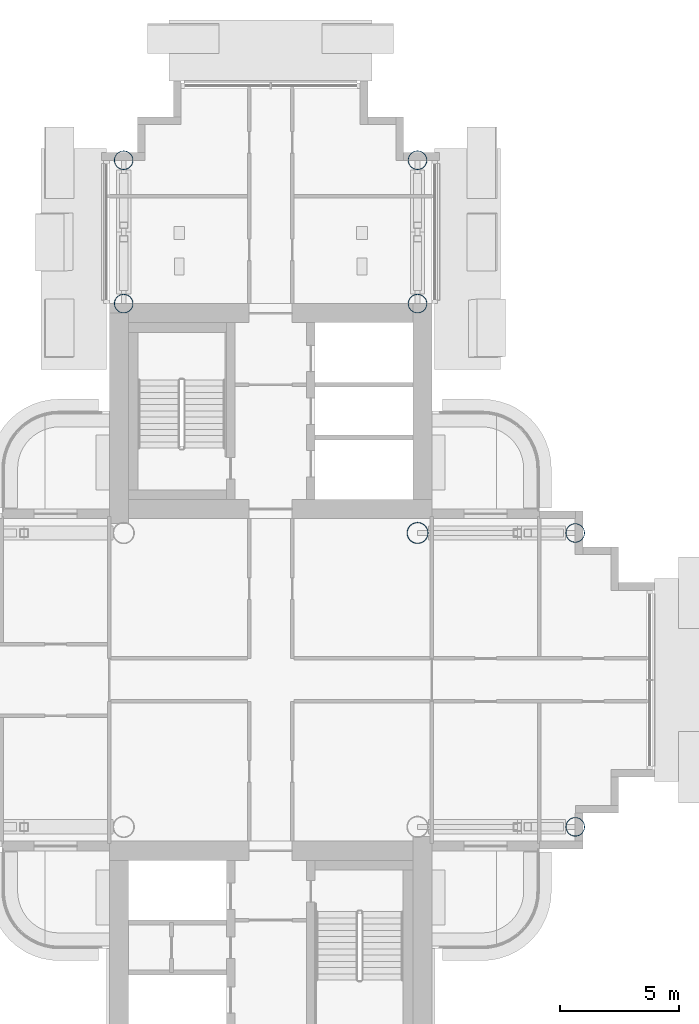
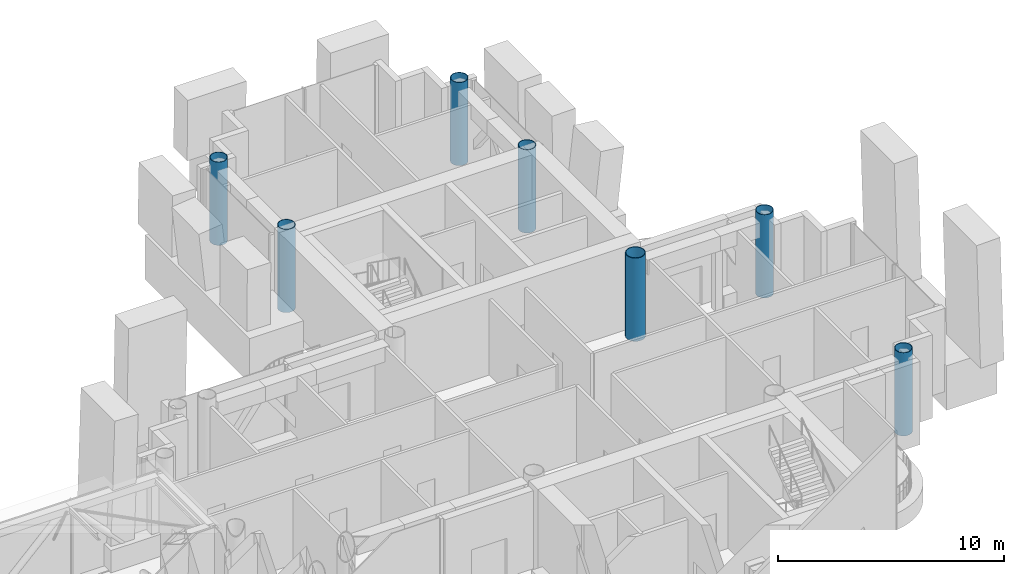
# One storey, part 2 of 26: 7 columns.
"""IFC4 building model written with IfcOpenShell, lengths in metres."""

from ifc_helpers import new_model, si_unit, direction, frame, origin, origin_2d, place, context, subcontext, project, spatial, hollow_circle, extrude, material, material_profile, profile_set, type_object, element, save


model = new_model("IFC4")

# Units and contexts
model_context = context("Model", 3, precision=1e-05, world=origin(), true_north=direction((0.0, 1.0)))
body_context = subcontext(model_context, "Body", "Model", "MODEL_VIEW")
ifc_project = project(units=[si_unit("LENGTHUNIT", "METRE"), si_unit("AREAUNIT", "SQUARE_METRE"), si_unit("VOLUMEUNIT", "CUBIC_METRE"), si_unit("PLANEANGLEUNIT", "RADIAN"), si_unit("MASSUNIT", "GRAM", prefix="KILO")], contexts=[model_context])

# Site, building, storey
site_placement = place(None, origin())
site = spatial("IfcSite", under=ifc_project, at=site_placement, CompositionType="ELEMENT")
building_placement = place(site_placement, origin())
building = spatial("IfcBuilding", under=site, at=building_placement, Name="Ipe Terrace Towers", CompositionType="ELEMENT")
storey_placement = place(building_placement, frame((0.0, 0.0, 181.300048828125)))
storey = spatial("IfcBuildingStorey", under=building, at=storey_placement, Name="L50", CompositionType="ELEMENT", Elevation=181.300048828125)

# Columns
ifc_material_1 = material(Name="Steel S355 tube with Concrete C60/75 fill", Category="concrete")
ifc_material_profile_1 = material_profile(ifc_material_1, hollow_circle(Radius=0.39990234375, WallThickness=0.028076171875, at=origin_2d()), Name="CHS-800x28")
ifc_profile_set_1 = profile_set([ifc_material_profile_1], Name="Steel S355 tube with Concrete C60/75 fill")
column_type_1 = type_object("IfcColumnType", Name="CH09 COLUMN CHS-800x28", PredefinedType="COLUMN", material=ifc_profile_set_1)
for number, where, z_axis, x_axis, name in (
    (1, (42.14990234375, 15.75, 0.0), (0.0, 0.0, 1.0), (1.0, 0.0, 0.0), "Column T2-C-A01"),
    (2, (29.85009765625, 15.75, 0.0), (0.0, 0.0, 1.0), (1.0, 0.0, 0.0), "Column T2-C-A02"),
    (3, (42.14990234375, 21.75, 0.0), (0.0, 0.0, 1.0), (1.0, 0.0, 0.0), "Column T2-C-A03"),
    (4, (29.85009765625, 21.75, 0.0), (0.0, 0.0, 1.0), (1.0, 0.0, 0.0), "Column T2-C-A04"),
    (5, (48.75, -6.14990234375, 0.0), (0.0, 0.0, 1.0), (1.0, 0.0, 0.0), "Column T2-C-D01"),
    (6, (48.75, 6.14990234375, 0.0), (0.0, 0.0, 1.0), (1.0, 0.0, 0.0), "Column T2-C-D02"),
):
    element("IfcColumn", number, at=place(storey_placement, frame(where, z_axis=z_axis, x_axis=x_axis)), inside=storey, type_object=column_type_1, Name=name, PredefinedType="COLUMN", context=body_context, shape_type="SweptSolid", body=[
        extrude(hollow_circle(Radius=0.39990234375, WallThickness=0.028076171875, at=origin_2d()), origin(), (0.0, 0.0, 1.0), 4.5),
    ])
ifc_material_2 = material(Name="Steel S355 tube with Concrete C60/75 fill", Category="concrete")
ifc_material_profile_2 = material_profile(ifc_material_2, hollow_circle(Radius=0.449951171875, WallThickness=0.031982421875, at=origin_2d()), Name="CHS-900x32")
ifc_profile_set_2 = profile_set([ifc_material_profile_2], Name="Steel S355 tube with Concrete C60/75 fill")
column_type_2 = type_object("IfcColumnType", Name="CH10 COLUMN CHS-900x32", PredefinedType="COLUMN", material=ifc_profile_set_2)
column_placement = place(storey_placement, frame((42.14990234375, 6.14990234375, 0.0), z_axis=(0.0, 0.0, 1.0), x_axis=(1.0, 0.0, 0.0)))
element("IfcColumn", 7, at=column_placement, inside=storey, type_object=column_type_2, Name="Column T2-C-E02", PredefinedType="COLUMN", context=body_context, shape_type="SweptSolid", body=[
    extrude(hollow_circle(Radius=0.449951171875, WallThickness=0.031982421875, at=origin_2d()), origin(), (0.0, 0.0, 1.0), 4.5),
])

save(model, "model.ifc")
